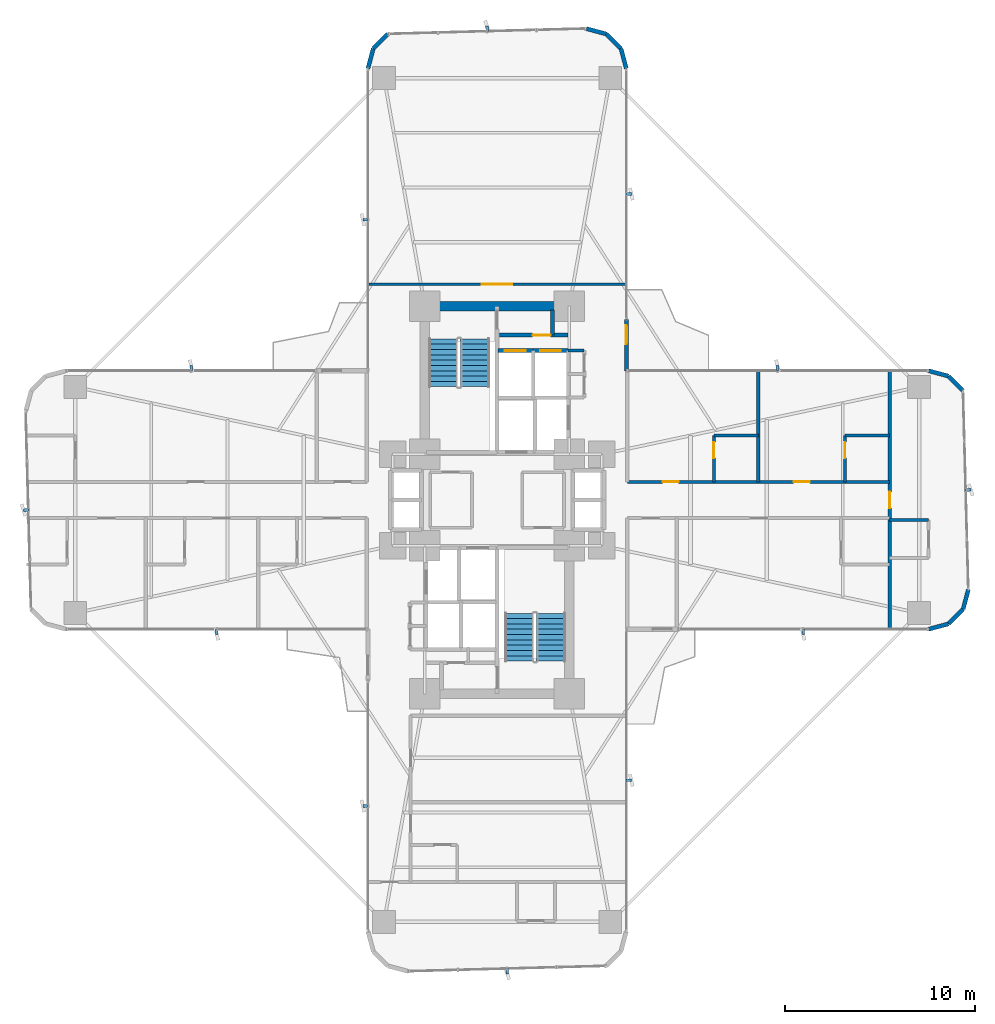
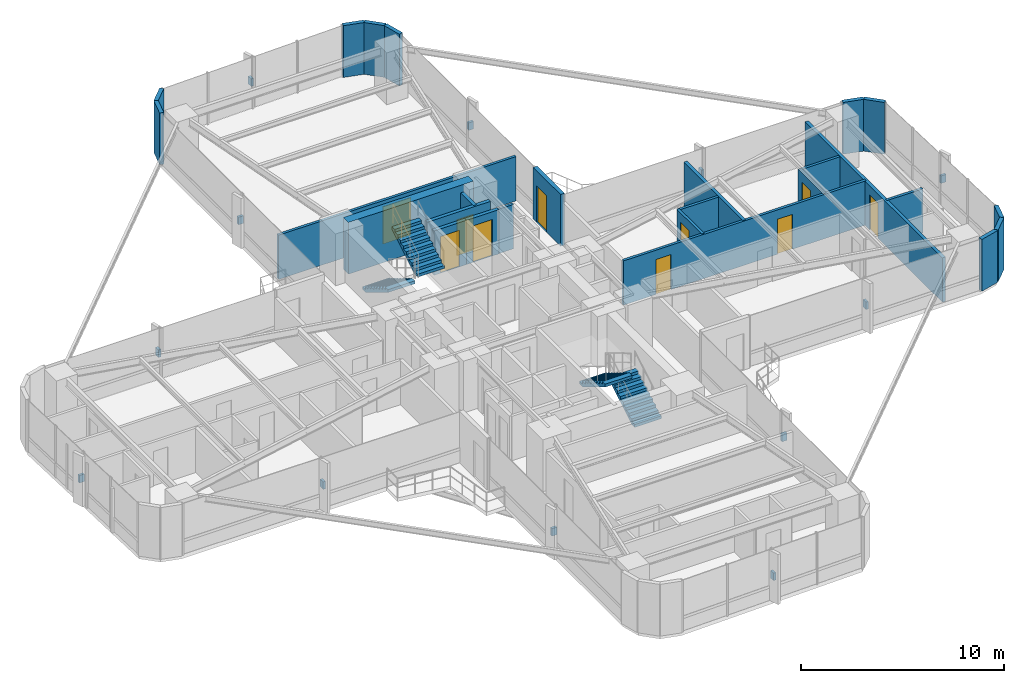
# One storey, part 24 of 25: 26 walls, 12 discrete accessories, 10 doors, 4 stair flights, 10 openings, 2 elements without a shape of their own.
"""IFC4 building model written with IfcOpenShell, lengths in metres."""

from ifc_helpers import new_model, si_unit, direction, frame, frame_2d, origin, origin_2d, place, context, subcontext, project, spatial, polyline, rectangle, outline, extrude, source, transform, mapped, material, layer, layer_set, type_object, element, fill, aggregate, save


model = new_model("IFC4")

# Units and contexts
model_context = context("Model", 3, precision=1e-05, world=origin(), true_north=direction((0.0, 1.0)))
body_context = subcontext(model_context, "Body", "Model", "MODEL_VIEW")
ifc_project = project(units=[si_unit("LENGTHUNIT", "METRE"), si_unit("AREAUNIT", "SQUARE_METRE"), si_unit("VOLUMEUNIT", "CUBIC_METRE"), si_unit("PLANEANGLEUNIT", "RADIAN"), si_unit("MASSUNIT", "GRAM", prefix="KILO")], contexts=[model_context])

# Site, building, storey
site_placement = place(None, origin())
site = spatial("IfcSite", under=ifc_project, at=site_placement, CompositionType="ELEMENT")
building_placement = place(site_placement, origin())
building = spatial("IfcBuilding", under=site, at=building_placement, Name="Sahyath Konkavel Grand Hotel", CompositionType="ELEMENT")
storey_placement = place(building_placement, frame((0.0, 0.0, 33.14990234375)))
storey = spatial("IfcBuildingStorey", under=building, at=storey_placement, Name="L08", CompositionType="ELEMENT", Elevation=33.14990234375)

# Walls
ifc_material_1 = material(Name="Concrete C70/85", Category="concrete")
ifc_layer_1 = layer(ifc_material_1, 0.5)
ifc_layer_set_1 = layer_set([ifc_layer_1], Name="Concrete C70/85")
wall_type_1 = type_object("IfcWallType", Name="CWALL-500", PredefinedType="SHEAR", material=ifc_layer_set_1)
wall_1_placement = place(storey_placement, frame((-3.550048828125, 10.199951171875, 0.0), z_axis=(0.0, 0.0, 1.0), x_axis=(1.0, 0.0, 0.0)))
element("IfcWall", 1, at=wall_1_placement, inside=storey, type_object=wall_type_1, Name="L08 North Core Shear Wall N", PredefinedType="SHEAR", context=body_context, shape_type="SweptSolid", body=[
    extrude(rectangle(XDim=7.10009765625, YDim=0.5, at=frame_2d((3.550048828125, 0.0))), origin(), (0.0, 0.0, 1.0), 3.110107421875),
])
ifc_material_2 = material(Name="Warm Buff Sandstone Insulated Concrete C40/50", Category="masonry")
ifc_layer_2 = layer(ifc_material_2, 0.219970703125)
ifc_layer_set_2 = layer_set([ifc_layer_2], Name="Warm Buff Sandstone Insulated Concrete C40/50")
wall_type_2 = type_object("IfcWallType", Name="WLL-BALC-THRESH", PredefinedType="STANDARD", material=ifc_layer_set_2)
for number, where, z_axis, x_axis, name in (
    (2, (22.699951171875, -6.800048828125, 0.0), (0.0, 0.0, 1.0), (0.965951058412, 0.25872485917, 0.0), "L08 Rounded Corner Sandstone Pier 1"),
    (3, (23.75, -6.518798828125, 0.0), (0.0, 0.0, 1.0), (0.707106781187, 0.707106781187, 0.0), "L08 Rounded Corner Sandstone Pier 2"),
    (4, (24.518798828125, -5.75, 0.0), (0.0, 0.0, 1.0), (0.25872485917, 0.965951058412, 0.0), "L08 Rounded Corner Sandstone Pier 3"),
    (5, (24.518798828125, 5.75, 0.0), (0.0, 0.0, 1.0), (-0.707106781187, 0.707106781187, 0.0), "L08 Rounded Corner Sandstone Pier 5"),
    (6, (23.75, 6.518798828125, 0.0), (0.0, 0.0, 1.0), (-0.965951058412, 0.25872485917, 0.0), "L08 Rounded Corner Sandstone Pier 6"),
):
    element("IfcWall", number, at=place(storey_placement, frame(where, z_axis=z_axis, x_axis=x_axis)), inside=storey, type_object=wall_type_2, Name=name, PredefinedType="STANDARD", context=body_context, shape_type="SweptSolid", body=[
        extrude(rectangle(XDim=1.087158203125, YDim=0.219970703125, at=frame_2d((0.54345703125, 0.0))), origin(), (0.0, 0.0, 1.0), 3.110107421875),
    ])

# Wall, opening, door
wall_2_placement = place(storey_placement, frame((6.800048828125, 6.800048828125, 0.0), z_axis=(0.0, 0.0, 1.0), x_axis=(0.0, 1.0, 0.0)))
wall_2 = element("IfcWall", 7, at=wall_2_placement, inside=storey, type_object=wall_type_2, Name="L08 Winter-Garden Threshold Wall 8", PredefinedType="STANDARD", context=body_context, shape_type="SweptSolid", body=[
    extrude(rectangle(XDim=2.699951171875, YDim=0.219970703125, at=frame_2d((1.35009765625, 0.0))), origin(), (0.0, 0.0, 1.0), 3.110107421875),
])
opening_1_placement = place(wall_2_placement, frame((1.39990234375, 0.0, 0.0)))
opening_1 = element("IfcOpeningElement", 8, at=opening_1_placement, cuts=wall_2, Name="Opening D-TR1", PredefinedType="OPENING", context=body_context, shape_type="SweptSolid", body=[
    extrude(rectangle(XDim=1.0, YDim=2.199951171875, at=frame_2d((0.5, 1.10009765625))), frame((0.0, 0.1201171875, 0.0), z_axis=(0.0, -1.0, 0.0), x_axis=(1.0, 0.0, 0.0)), (0.0, 0.0, 1.0), 0.239990234375),
])
ifc_material_3 = material(Name="Anodised Bronze Aluminium & Low-E Glazing", Category="aluminium")
door_type_1 = type_object("IfcDoorType", Name="DR-TERRACE-1000", OperationType="NOTDEFINED", PredefinedType="DOOR", material=ifc_material_3)
shared_shape_1 = source(origin(), body_context, "Body", "SweptSolid", [
    extrude(rectangle(XDim=1.0, YDim=0.050048828125, at=origin_2d()), origin(), (0.0, 0.0, 1.0), 2.199951171875),
])
door_1_placement = place(opening_1_placement, frame((0.5, 0.0, 0.0)))
door_1 = element("IfcDoor", 9, at=door_1_placement, inside=storey, type_object=door_type_1, Name="L08 Winter-Garden Terrace Door 8", OperationType="SINGLE_SWING_LEFT", OverallHeight=2.199951171875, OverallWidth=1.0, PredefinedType="DOOR", context=body_context, shape_type="MappedRepresentation", body=[
    mapped(shared_shape_1, transform((0.0, 0.0, 0.0), scale=1.0)),
])
fill(opening_1, door_1)

# Walls
for number, where, z_axis, x_axis, name in (
    (10, (6.800048828125, 22.699951171875, 0.0), (0.0, 0.0, 1.0), (-0.25872485917, 0.965951058412, 0.0), "L08 Rounded Corner Sandstone Pier 9"),
    (11, (6.518798828125, 23.75, 0.0), (0.0, 0.0, 1.0), (-0.707106781187, 0.707106781187, 0.0), "L08 Rounded Corner Sandstone Pier 10"),
    (12, (5.75, 24.518798828125, 0.0), (0.0, 0.0, 1.0), (-0.965951058412, 0.25872485917, 0.0), "L08 Rounded Corner Sandstone Pier 11"),
    (13, (-5.75, 24.518798828125, 0.0), (0.0, 0.0, 1.0), (-0.707106781187, -0.707106781187, 0.0), "L08 Rounded Corner Sandstone Pier 13"),
    (14, (-6.518798828125, 23.75, 0.0), (0.0, 0.0, 1.0), (-0.25872485917, -0.965951058412, 0.0), "L08 Rounded Corner Sandstone Pier 14"),
):
    element("IfcWall", number, at=place(storey_placement, frame(where, z_axis=z_axis, x_axis=x_axis)), inside=storey, type_object=wall_type_2, Name=name, PredefinedType="STANDARD", context=body_context, shape_type="SweptSolid", body=[
        extrude(rectangle(XDim=1.087158203125, YDim=0.219970703125, at=frame_2d((0.54345703125, 0.0))), origin(), (0.0, 0.0, 1.0), 3.110107421875),
    ])

# Wall, opening, door
ifc_material_4 = material(Name="Concrete C40/50", Category="concrete")
ifc_layer_3 = layer(ifc_material_4, 0.199951171875)
ifc_layer_set_3 = layer_set([ifc_layer_3], Name="Concrete C40/50")
wall_type_3 = type_object("IfcWallType", Name="WLL-CORE-200", PredefinedType="SOLIDWALL", material=ifc_layer_set_3)
wall_3_placement = place(storey_placement, frame((0.050048828125, 7.860107421875, 0.0), z_axis=(0.0, 0.0, 1.0), x_axis=(1.0, 0.0, 0.0)))
wall_3 = element("IfcWall", 15, at=wall_3_placement, inside=storey, type_object=wall_type_3, Name="L08 Partition SH-PL1-N", PredefinedType="SOLIDWALL", context=body_context, shape_type="SweptSolid", body=[
    extrude(rectangle(XDim=1.849853515625, YDim=0.199951171875, at=frame_2d((0.9248046875, 0.0))), origin(), (0.0, 0.0, 1.0), 2.66015625),
])
opening_2_placement = place(wall_3_placement, frame((0.360107421875, 0.0, 0.0)))
opening_2 = element("IfcOpeningElement", 16, at=opening_2_placement, cuts=wall_3, Name="Opening LD-11", PredefinedType="OPENING", context=body_context, shape_type="SweptSolid", body=[
    extrude(rectangle(XDim=1.10009765625, YDim=2.199951171875, at=frame_2d((0.550048828125, 1.10009765625))), frame((0.0, 0.10986328125, 0.0), z_axis=(0.0, -1.0, 0.0), x_axis=(1.0, 0.0, 0.0)), (0.0, 0.0, 1.0), 0.219970703125),
])
ifc_material_5 = material(Name="Bronze Lift Landing Door 1100")
door_type_2 = type_object("IfcDoorType", Name="DR-LIFT-1100", OperationType="DOUBLE_DOOR_SLIDING", PredefinedType="DOOR", material=ifc_material_5)
shared_shape_2 = source(origin(), body_context, "Body", "SweptSolid", [
    extrude(rectangle(XDim=1.10009765625, YDim=0.050048828125, at=origin_2d()), origin(), (0.0, 0.0, 1.0), 2.199951171875),
])
door_2_placement = place(opening_2_placement, frame((0.550048828125, 0.0, 0.0)))
door_2 = element("IfcDoor", 17, at=door_2_placement, inside=storey, type_object=door_type_2, Name="L08 Passenger Lift PL-1 Landing Door", OperationType="DOUBLE_DOOR_SLIDING", OverallHeight=2.199951171875, OverallWidth=1.10009765625, PredefinedType="DOOR", context=body_context, shape_type="MappedRepresentation", body=[
    mapped(shared_shape_2, transform((0.0, 0.0, 0.0), scale=1.0)),
])
fill(opening_2, door_2)

wall_4_placement = place(storey_placement, frame((1.89990234375, 7.860107421875, 0.0), z_axis=(0.0, 0.0, 1.0), x_axis=(1.0, 0.0, 0.0)))
wall_4 = element("IfcWall", 18, at=wall_4_placement, inside=storey, type_object=wall_type_3, Name="L08 Partition SH-PL2-N", PredefinedType="SOLIDWALL", context=body_context, shape_type="SweptSolid", body=[
    extrude(rectangle(XDim=1.840087890625, YDim=0.199951171875, at=frame_2d((0.919921875, 0.0))), origin(), (0.0, 0.0, 1.0), 2.66015625),
])
opening_3_placement = place(wall_4_placement, frame((0.360107421875, 0.0, 0.0)))
opening_3 = element("IfcOpeningElement", 19, at=opening_3_placement, cuts=wall_4, Name="Opening LD-11", PredefinedType="OPENING", context=body_context, shape_type="SweptSolid", body=[
    extrude(rectangle(XDim=1.10009765625, YDim=2.199951171875, at=frame_2d((0.550048828125, 1.10009765625))), frame((0.0, 0.10986328125, 0.0), z_axis=(0.0, -1.0, 0.0), x_axis=(1.0, 0.0, 0.0)), (0.0, 0.0, 1.0), 0.219970703125),
])
door_3_placement = place(opening_3_placement, frame((0.550048828125, 0.0, 0.0)))
door_3 = element("IfcDoor", 20, at=door_3_placement, inside=storey, type_object=door_type_2, Name="L08 Passenger Lift PL-2 Landing Door", OperationType="DOUBLE_DOOR_SLIDING", OverallHeight=2.199951171875, OverallWidth=1.10009765625, PredefinedType="DOOR", context=body_context, shape_type="MappedRepresentation", body=[
    mapped(shared_shape_2, transform((0.0, 0.0, 0.0), scale=1.0)),
])
fill(opening_3, door_3)

wall_5_placement = place(storey_placement, frame((0.1201171875, 8.679931640625, 0.0), z_axis=(0.0, 0.0, 1.0), x_axis=(1.0, 0.0, 0.0)))
wall_5 = element("IfcWall", 21, at=wall_5_placement, inside=storey, type_object=wall_type_3, Name="L08 North FF Lobby Separation Wall", PredefinedType="SOLIDWALL", context=body_context, shape_type="SweptSolid", body=[
    extrude(rectangle(XDim=3.619873046875, YDim=0.199951171875, at=frame_2d((1.81005859375, 0.0))), origin(), (0.0, 0.0, 1.0), 2.66015625),
])
opening_4_placement = place(wall_5_placement, frame((1.75, 0.0, 0.0)))
opening_4 = element("IfcOpeningElement", 22, at=opening_4_placement, cuts=wall_5, Name="Opening D-F12C", PredefinedType="OPENING", context=body_context, shape_type="SweptSolid", body=[
    extrude(rectangle(XDim=0.949951171875, YDim=2.14990234375, at=frame_2d((0.47509765625, 1.074951171875))), frame((0.0, 0.10986328125, 0.0), z_axis=(0.0, -1.0, 0.0), x_axis=(1.0, 0.0, 0.0)), (0.0, 0.0, 1.0), 0.219970703125),
])
ifc_material_6 = material(Name="Steel E350 Plant Fire Door", Category="steel")
door_type_3 = type_object("IfcDoorType", Name="DR-FD120-950", OperationType="NOTDEFINED", PredefinedType="DOOR", material=ifc_material_6)
shared_shape_3 = source(origin(), body_context, "Body", "SweptSolid", [
    extrude(rectangle(XDim=0.949951171875, YDim=0.050048828125, at=origin_2d()), origin(), (0.0, 0.0, 1.0), 2.14990234375),
])
door_4_placement = place(opening_4_placement, frame((0.47509765625, 0.0, 0.0)))
door_4 = element("IfcDoor", 23, at=door_4_placement, inside=storey, type_object=door_type_3, Name="L08 North Firefighting Lobby Door", OperationType="SINGLE_SWING_LEFT", OverallHeight=2.14990234375, OverallWidth=0.949951171875, PredefinedType="DOOR", context=body_context, shape_type="MappedRepresentation", body=[
    mapped(shared_shape_3, transform((0.0, 0.0, 0.0), scale=1.0)),
])
fill(opening_4, door_4)

# Walls
wall_6_placement = place(storey_placement, frame((2.919921875, 8.679931640625, 0.0), z_axis=(0.0, 0.0, 1.0), x_axis=(0.0, 1.0, 0.0)))
element("IfcWall", 24, at=wall_6_placement, inside=storey, type_object=wall_type_3, Name="L08 Partition NFF-E2", PredefinedType="SOLIDWALL", context=body_context, shape_type="SweptSolid", body=[
    extrude(rectangle(XDim=1.320068359375, YDim=0.199951171875, at=frame_2d((0.66015625, 0.0))), origin(), (0.0, 0.0, 1.0), 2.66015625),
])
ifc_material_7 = material(Name="Twin-Stud Acoustic Gypsum Plasterboard Partition")
ifc_layer_4 = layer(ifc_material_7, 0.179931640625)
ifc_layer_set_4 = layer_set([ifc_layer_4], Name="Twin-Stud Acoustic Gypsum Plasterboard Partition")
wall_type_4 = type_object("IfcWallType", Name="WLL-DEMISE-180", PredefinedType="PARTITIONING", material=ifc_layer_set_4)
wall_7_placement = place(storey_placement, frame((13.75, 0.949951171875, 0.0), z_axis=(0.0, 0.0, 1.0), x_axis=(0.0, 1.0, 0.0)))
element("IfcWall", 25, at=wall_7_placement, inside=storey, type_object=wall_type_4, Name="L08 Partition E-E4L1-DEM", PredefinedType="PARTITIONING", context=body_context, shape_type="SweptSolid", body=[
    extrude(rectangle(XDim=5.800048828125, YDim=0.179931640625, at=frame_2d((2.89990234375, 0.0))), origin(), (0.0, 0.0, 1.0), 2.66015625),
])

# Wall, opening, door
wall_8_placement = place(storey_placement, frame((20.64990234375, -6.75, 0.0), z_axis=(0.0, 0.0, 1.0), x_axis=(0.0, 1.0, 0.0)))
wall_8 = element("IfcWall", 26, at=wall_8_placement, inside=storey, type_object=wall_type_4, Name="L08 Partition E-ETIP-END", PredefinedType="PARTITIONING", context=body_context, shape_type="SweptSolid", body=[
    extrude(rectangle(XDim=13.5, YDim=0.179931640625, at=frame_2d((6.75, 0.0))), origin(), (0.0, 0.0, 1.0), 2.66015625),
])
opening_5_placement = place(wall_8_placement, frame((6.324951171875, 0.0, 0.0)))
opening_5 = element("IfcOpeningElement", 27, at=opening_5_placement, cuts=wall_8, Name="Opening D-F06D", PredefinedType="OPENING", context=body_context, shape_type="SweptSolid", body=[
    extrude(rectangle(XDim=0.85009765625, YDim=2.10009765625, at=frame_2d((0.425048828125, 1.050048828125))), frame((0.0, 0.10009765625, 0.0), z_axis=(0.0, -1.0, 0.0), x_axis=(1.0, 0.0, 0.0)), (0.0, 0.0, 1.0), 0.199951171875),
])
ifc_material_8 = material(Name="Fire-Rated Shaft Access Door")
door_type_4 = type_object("IfcDoorType", Name="DR-FD60-850", OperationType="NOTDEFINED", PredefinedType="DOOR", material=ifc_material_8)
shared_shape_4 = source(origin(), body_context, "Body", "SweptSolid", [
    extrude(rectangle(XDim=0.85009765625, YDim=0.050048828125, at=origin_2d()), origin(), (0.0, 0.0, 1.0), 2.10009765625),
])
door_5_placement = place(opening_5_placement, frame((0.425048828125, 0.0, 0.0)))
door_5 = element("IfcDoor", 28, at=door_5_placement, inside=storey, type_object=door_type_4, Name="L08 Door E-ETIP-ED", OperationType="SINGLE_SWING_LEFT", OverallHeight=2.10009765625, OverallWidth=0.85009765625, PredefinedType="DOOR", context=body_context, shape_type="MappedRepresentation", body=[
    mapped(shared_shape_4, transform((0.0, 0.0, 0.0), scale=1.0)),
])
fill(opening_5, door_5)

# Wall
ifc_material_9 = material(Name="Fire-Rated Gypsum Plasterboard Partition")
ifc_layer_5 = layer(ifc_material_9, 0.14990234375)
ifc_layer_set_5 = layer_set([ifc_layer_5], Name="Fire-Rated Gypsum Plasterboard Partition")
wall_type_5 = type_object("IfcWallType", Name="WLL-PART-150", PredefinedType="PARTITIONING", material=ifc_layer_set_5)
wall_9_placement = place(storey_placement, frame((3.739990234375, 7.860107421875, 0.0), z_axis=(0.0, 0.0, 1.0), x_axis=(1.0, 0.0, 0.0)))
element("IfcWall", 29, at=wall_9_placement, inside=storey, type_object=wall_type_5, Name="L08 Partition NC-FLK-N", PredefinedType="PARTITIONING", context=body_context, shape_type="SweptSolid", body=[
    extrude(rectangle(XDim=0.840087890625, YDim=0.14990234375, at=frame_2d((0.419921875, 0.0))), origin(), (0.0, 0.0, 1.0), 2.66015625),
])

# Wall, openings, doors
wall_10_placement = place(storey_placement, frame((6.85009765625, 0.949951171875, 0.0), z_axis=(0.0, 0.0, 1.0), x_axis=(1.0, 0.0, 0.0)))
wall_10 = element("IfcWall", 30, at=wall_10_placement, inside=storey, type_object=wall_type_5, Name="L08 Partition E-CL", PredefinedType="PARTITIONING", context=body_context, shape_type="SweptSolid", body=[
    extrude(rectangle(XDim=13.7998046875, YDim=0.14990234375, at=frame_2d((6.89990234375, 0.0))), origin(), (0.0, 0.0, 1.0), 2.66015625),
])
opening_6_placement = place(wall_10_placement, frame((1.85205078125, 0.0, 0.0)))
opening_6 = element("IfcOpeningElement", 31, at=opening_6_placement, cuts=wall_10, Name="Opening D-F06D", PredefinedType="OPENING", context=body_context, shape_type="SweptSolid", body=[
    extrude(rectangle(XDim=0.85009765625, YDim=2.10009765625, at=frame_2d((0.425048828125, 1.050048828125))), frame((0.0, 0.0849609375, 0.0), z_axis=(0.0, -1.0, 0.0), x_axis=(1.0, 0.0, 0.0)), (0.0, 0.0, 1.0), 0.169921875),
])
opening_7_placement = place(wall_10_placement, frame((8.751953125, 0.0, 0.0)))
opening_7 = element("IfcOpeningElement", 32, at=opening_7_placement, cuts=wall_10, Name="Opening D-F06D", PredefinedType="OPENING", context=body_context, shape_type="SweptSolid", body=[
    extrude(rectangle(XDim=0.85009765625, YDim=2.10009765625, at=frame_2d((0.425048828125, 1.050048828125))), frame((0.0, 0.0849609375, 0.0), z_axis=(0.0, -1.0, 0.0), x_axis=(1.0, 0.0, 0.0)), (0.0, 0.0, 1.0), 0.169921875),
])
door_6_placement = place(opening_6_placement, frame((0.425048828125, 0.0, 0.0)))
door_6 = element("IfcDoor", 33, at=door_6_placement, inside=storey, type_object=door_type_4, Name="L08 Door E-E4L1-ED", OperationType="SINGLE_SWING_RIGHT", OverallHeight=2.10009765625, OverallWidth=0.85009765625, PredefinedType="DOOR", context=body_context, shape_type="MappedRepresentation", body=[
    mapped(shared_shape_4, transform((0.0, 0.0, 0.0), scale=1.0)),
])
fill(opening_6, door_6)
door_7_placement = place(opening_7_placement, frame((0.425048828125, 0.0, 0.0)))
door_7 = element("IfcDoor", 34, at=door_7_placement, inside=storey, type_object=door_type_4, Name="L08 Door E-E4L2-ED", OperationType="SINGLE_SWING_RIGHT", OverallHeight=2.10009765625, OverallWidth=0.85009765625, PredefinedType="DOOR", context=body_context, shape_type="MappedRepresentation", body=[
    mapped(shared_shape_4, transform((0.0, 0.0, 0.0), scale=1.0)),
])
fill(opening_7, door_7)

# Wall, opening, door
wall_11_placement = place(storey_placement, frame((11.404052734375, 0.949951171875, 0.0), z_axis=(0.0, 0.0, 1.0), x_axis=(0.0, 1.0, 0.0)))
wall_11 = element("IfcWall", 35, at=wall_11_placement, inside=storey, type_object=wall_type_5, Name="L08 Partition E-E4L1-BS", PredefinedType="PARTITIONING", context=body_context, shape_type="SweptSolid", body=[
    extrude(rectangle(XDim=2.449951171875, YDim=0.14990234375, at=frame_2d((1.22509765625, 0.0))), origin(), (0.0, 0.0, 1.0), 2.66015625),
])
opening_8_placement = place(wall_11_placement, frame((1.25, 0.0, 0.0)))
opening_8 = element("IfcOpeningElement", 36, at=opening_8_placement, cuts=wall_11, Name="Opening D-BT85", PredefinedType="OPENING", context=body_context, shape_type="SweptSolid", body=[
    extrude(rectangle(XDim=0.85009765625, YDim=2.10009765625, at=frame_2d((0.425048828125, 1.050048828125))), frame((0.0, 0.0849609375, 0.0), z_axis=(0.0, -1.0, 0.0), x_axis=(1.0, 0.0, 0.0)), (0.0, 0.0, 1.0), 0.169921875),
])
ifc_material_10 = material(Name="Moisture-Resistant Teak Bathroom Door")
door_type_5 = type_object("IfcDoorType", Name="DR-BATH-850", OperationType="NOTDEFINED", PredefinedType="DOOR", material=ifc_material_10)
door_8_placement = place(opening_8_placement, frame((0.425048828125, 0.0, 0.0)))
door_8 = element("IfcDoor", 37, at=door_8_placement, inside=storey, type_object=door_type_5, Name="L08 Door E-E4L1-BD", OperationType="SINGLE_SWING_LEFT", OverallHeight=2.10009765625, OverallWidth=0.85009765625, PredefinedType="DOOR", context=body_context, shape_type="MappedRepresentation", body=[
    mapped(shared_shape_4, transform((0.0, 0.0, 0.0), scale=1.0)),
])
fill(opening_8, door_8)

# Wall
wall_12_placement = place(storey_placement, frame((11.404052734375, 3.39990234375, 0.0), z_axis=(0.0, 0.0, 1.0), x_axis=(1.0, 0.0, 0.0)))
element("IfcWall", 38, at=wall_12_placement, inside=storey, type_object=wall_type_5, Name="L08 Partition E-E4L1-BF", PredefinedType="PARTITIONING", context=body_context, shape_type="SweptSolid", body=[
    extrude(rectangle(XDim=2.345947265625, YDim=0.14990234375, at=frame_2d((1.1728515625, 0.0))), origin(), (0.0, 0.0, 1.0), 2.630126953125),
])

# Wall, opening, door
wall_13_placement = place(storey_placement, frame((18.303955078125, 0.949951171875, 0.0), z_axis=(0.0, 0.0, 1.0), x_axis=(0.0, 1.0, 0.0)))
wall_13 = element("IfcWall", 39, at=wall_13_placement, inside=storey, type_object=wall_type_5, Name="L08 Partition E-E4L2-BS", PredefinedType="PARTITIONING", context=body_context, shape_type="SweptSolid", body=[
    extrude(rectangle(XDim=2.449951171875, YDim=0.14990234375, at=frame_2d((1.22509765625, 0.0))), origin(), (0.0, 0.0, 1.0), 2.66015625),
])
opening_9_placement = place(wall_13_placement, frame((1.25, 0.0, 0.0)))
opening_9 = element("IfcOpeningElement", 40, at=opening_9_placement, cuts=wall_13, Name="Opening D-BT85", PredefinedType="OPENING", context=body_context, shape_type="SweptSolid", body=[
    extrude(rectangle(XDim=0.85009765625, YDim=2.10009765625, at=frame_2d((0.425048828125, 1.050048828125))), frame((0.0, 0.0849609375, 0.0), z_axis=(0.0, -1.0, 0.0), x_axis=(1.0, 0.0, 0.0)), (0.0, 0.0, 1.0), 0.169921875),
])
door_9_placement = place(opening_9_placement, frame((0.425048828125, 0.0, 0.0)))
door_9 = element("IfcDoor", 41, at=door_9_placement, inside=storey, type_object=door_type_5, Name="L08 Door E-E4L2-BD", OperationType="SINGLE_SWING_LEFT", OverallHeight=2.10009765625, OverallWidth=0.85009765625, PredefinedType="DOOR", context=body_context, shape_type="MappedRepresentation", body=[
    mapped(shared_shape_4, transform((0.0, 0.0, 0.0), scale=1.0)),
])
fill(opening_9, door_9)

# Walls
wall_14_placement = place(storey_placement, frame((18.303955078125, 3.39990234375, 0.0), z_axis=(0.0, 0.0, 1.0), x_axis=(1.0, 0.0, 0.0)))
element("IfcWall", 42, at=wall_14_placement, inside=storey, type_object=wall_type_5, Name="L08 Partition E-E4L2-BF", PredefinedType="PARTITIONING", context=body_context, shape_type="SweptSolid", body=[
    extrude(rectangle(XDim=2.345947265625, YDim=0.14990234375, at=frame_2d((1.1728515625, 0.0))), origin(), (0.0, 0.0, 1.0), 2.630126953125),
])
wall_15_placement = place(storey_placement, frame((20.64990234375, -1.050048828125, 0.0), z_axis=(0.0, 0.0, 1.0), x_axis=(1.0, 0.0, 0.0)))
element("IfcWall", 43, at=wall_15_placement, inside=storey, type_object=wall_type_5, Name="L08 Partition E-ETIP-BN", PredefinedType="PARTITIONING", context=body_context, shape_type="SweptSolid", body=[
    extrude(rectangle(XDim=2.050048828125, YDim=0.14990234375, at=frame_2d((1.02490234375, 0.0))), origin(), (0.0, 0.0, 1.0), 2.66015625),
])

# Wall, opening, door
wall_16_placement = place(storey_placement, frame((6.75, 11.35009765625, 0.0), z_axis=(0.0, 0.0, 1.0), x_axis=(-1.0, 0.0, 0.0)))
wall_16 = element("IfcWall", 44, at=wall_16_placement, inside=storey, type_object=wall_type_5, Name="L08 Partition N-SAL-IN", PredefinedType="PARTITIONING", context=body_context, shape_type="SweptSolid", body=[
    extrude(rectangle(XDim=13.5, YDim=0.14990234375, at=frame_2d((6.75, 0.0))), origin(), (0.0, 0.0, 1.0), 2.66015625),
])
opening_10_placement = place(wall_16_placement, frame((5.949951171875, 0.0, 0.0)))
opening_10 = element("IfcOpeningElement", 45, at=opening_10_placement, cuts=wall_16, Name="Opening D-DB16", PredefinedType="OPENING", context=body_context, shape_type="SweptSolid", body=[
    extrude(rectangle(XDim=1.60009765625, YDim=2.25, at=frame_2d((0.800048828125, 1.125))), frame((0.0, 0.0849609375, 0.0), z_axis=(0.0, -1.0, 0.0), x_axis=(1.0, 0.0, 0.0)), (0.0, 0.0, 1.0), 0.169921875),
])
ifc_material_11 = material(Name="Double Leaf Lounge Glazed Timber Door", Category="wood")
door_type_6 = type_object("IfcDoorType", Name="DR-DBL-1600", OperationType="DOUBLE_DOOR_SINGLE_SWING", PredefinedType="DOOR", material=ifc_material_11)
shared_shape_5 = source(origin(), body_context, "Body", "SweptSolid", [
    extrude(rectangle(XDim=1.60009765625, YDim=0.050048828125, at=origin_2d()), origin(), (0.0, 0.0, 1.0), 2.25),
])
door_10_placement = place(opening_10_placement, frame((0.800048828125, 0.0, 0.0)))
door_10 = element("IfcDoor", 46, at=door_10_placement, inside=storey, type_object=door_type_6, Name="L08 Door N-SAL-D", OperationType="DOUBLE_DOOR_SINGLE_SWING", OverallHeight=2.25, OverallWidth=1.60009765625, PredefinedType="DOOR", context=body_context, shape_type="MappedRepresentation", body=[
    mapped(shared_shape_5, transform((0.0, 0.0, 0.0), scale=1.0)),
])
fill(opening_10, door_10)

# Stair, stair flights
stair_type = type_object("IfcStairType", Name="STR-ST16-335", PredefinedType="HALF_TURN_STAIR", material=ifc_material_4)
stair_1_placement = place(storey_placement, origin())
stair_1 = element("IfcStair", 47, at=stair_1_placement, inside=storey, type_object=stair_type, Name="L08 North Core Smokeproof Exit Stair ST-1", PredefinedType="HALF_TURN_STAIR")
stair_flight_type = type_object("IfcStairFlightType", Name="STF-ST16-335", PredefinedType="STRAIGHT", material=ifc_material_4)
stair_flight_1_placement = place(storey_placement, frame((-2.840087890625, 8.47998046875, 0.0), z_axis=(0.0, 0.0, 1.0), x_axis=(0.0, -1.0, 0.0)))
stair_flight_1 = element("IfcStairFlight", 48, at=stair_flight_1_placement, type_object=stair_flight_type, Name="ST-1 flight 1", NumberOfRisers=10, NumberOfTreads=9, PredefinedType="STRAIGHT", RiserHeight=0.1675, TreadLength=0.28, context=body_context, shape_type="SweptSolid", body=[
    extrude(outline(polyline([(0.0, 0.0), (0.0, 0.16748046875), (0.280029296875, 0.16748046875), (0.280029296875, 0.3349609375), (0.56005859375, 0.3349609375), (0.56005859375, 0.50244140625), (0.840087890625, 0.50244140625), (0.840087890625, 0.669921875), (1.1201171875, 0.669921875), (1.1201171875, 0.83740234375), (1.39990234375, 0.83740234375), (1.39990234375, 1.0048828125), (1.679931640625, 1.0048828125), (1.679931640625, 1.172607421875), (1.9599609375, 1.172607421875), (1.9599609375, 1.340087890625), (2.239990234375, 1.340087890625), (2.239990234375, 1.507568359375), (2.52001953125, 1.507568359375), (2.52001953125, 1.675048828125), (2.52001953125, 1.332763671875), (0.2919921875, 0.0), (0.0, 0.0)])), frame((0.0, 0.760009765625, 0.0), z_axis=(0.0, -1.0, 0.0), x_axis=(1.0, 0.0, 0.0)), (0.0, 0.0, 1.0), 1.52001953125),
])
stair_flight_2_placement = place(storey_placement, frame((-1.159912109375, 5.9599609375, 1.675048828125), z_axis=(0.0, 0.0, 1.0), x_axis=(0.0, 1.0, 0.0)))
stair_flight_2 = element("IfcStairFlight", 49, at=stair_flight_2_placement, type_object=stair_flight_type, Name="ST-1 flight 2", NumberOfRisers=10, NumberOfTreads=9, PredefinedType="STRAIGHT", RiserHeight=0.1675, TreadLength=0.28, context=body_context, shape_type="SweptSolid", body=[
    extrude(outline(polyline([(0.0, 0.0), (0.0, 0.16748046875), (0.280029296875, 0.16748046875), (0.280029296875, 0.3349609375), (0.56005859375, 0.3349609375), (0.56005859375, 0.50244140625), (0.840087890625, 0.50244140625), (0.840087890625, 0.669921875), (1.1201171875, 0.669921875), (1.1201171875, 0.83740234375), (1.39990234375, 0.83740234375), (1.39990234375, 1.0048828125), (1.679931640625, 1.0048828125), (1.679931640625, 1.172607421875), (1.9599609375, 1.172607421875), (1.9599609375, 1.340087890625), (2.239990234375, 1.340087890625), (2.239990234375, 1.507568359375), (2.52001953125, 1.507568359375), (2.52001953125, 1.675048828125), (2.52001953125, 1.332763671875), (0.2919921875, 0.0), (0.0, 0.0)])), frame((0.0, 0.760009765625, 0.0), z_axis=(0.0, -1.0, 0.0), x_axis=(1.0, 0.0, 0.0)), (0.0, 0.0, 1.0), 1.52001953125),
])
aggregate(stair_1, [stair_flight_1, stair_flight_2])

stair_2_placement = place(storey_placement, origin())
stair_2 = element("IfcStair", 50, at=stair_2_placement, inside=storey, type_object=stair_type, Name="L08 South Core Smokeproof Exit Stair ST-2", PredefinedType="HALF_TURN_STAIR")
stair_flight_3_placement = place(storey_placement, frame((2.840087890625, -8.47998046875, 0.0), z_axis=(0.0, 0.0, 1.0), x_axis=(0.0, 1.0, 0.0)))
stair_flight_3 = element("IfcStairFlight", 51, at=stair_flight_3_placement, type_object=stair_flight_type, Name="ST-2 flight 1", NumberOfRisers=10, NumberOfTreads=9, PredefinedType="STRAIGHT", RiserHeight=0.1675, TreadLength=0.28, context=body_context, shape_type="SweptSolid", body=[
    extrude(outline(polyline([(0.0, 0.0), (0.0, 0.16748046875), (0.280029296875, 0.16748046875), (0.280029296875, 0.3349609375), (0.56005859375, 0.3349609375), (0.56005859375, 0.50244140625), (0.840087890625, 0.50244140625), (0.840087890625, 0.669921875), (1.1201171875, 0.669921875), (1.1201171875, 0.83740234375), (1.39990234375, 0.83740234375), (1.39990234375, 1.0048828125), (1.679931640625, 1.0048828125), (1.679931640625, 1.172607421875), (1.9599609375, 1.172607421875), (1.9599609375, 1.340087890625), (2.239990234375, 1.340087890625), (2.239990234375, 1.507568359375), (2.52001953125, 1.507568359375), (2.52001953125, 1.675048828125), (2.52001953125, 1.332763671875), (0.2919921875, 0.0), (0.0, 0.0)])), frame((0.0, 0.760009765625, 0.0), z_axis=(0.0, -1.0, 0.0), x_axis=(1.0, 0.0, 0.0)), (0.0, 0.0, 1.0), 1.52001953125),
])
stair_flight_4_placement = place(storey_placement, frame((1.159912109375, -5.9599609375, 1.675048828125), z_axis=(0.0, 0.0, 1.0), x_axis=(0.0, -1.0, 0.0)))
stair_flight_4 = element("IfcStairFlight", 52, at=stair_flight_4_placement, type_object=stair_flight_type, Name="ST-2 flight 2", NumberOfRisers=10, NumberOfTreads=9, PredefinedType="STRAIGHT", RiserHeight=0.1675, TreadLength=0.28, context=body_context, shape_type="SweptSolid", body=[
    extrude(outline(polyline([(0.0, 0.0), (0.0, 0.16748046875), (0.280029296875, 0.16748046875), (0.280029296875, 0.3349609375), (0.56005859375, 0.3349609375), (0.56005859375, 0.50244140625), (0.840087890625, 0.50244140625), (0.840087890625, 0.669921875), (1.1201171875, 0.669921875), (1.1201171875, 0.83740234375), (1.39990234375, 0.83740234375), (1.39990234375, 1.0048828125), (1.679931640625, 1.0048828125), (1.679931640625, 1.172607421875), (1.9599609375, 1.172607421875), (1.9599609375, 1.340087890625), (2.239990234375, 1.340087890625), (2.239990234375, 1.507568359375), (2.52001953125, 1.507568359375), (2.52001953125, 1.675048828125), (2.52001953125, 1.332763671875), (0.2919921875, 0.0), (0.0, 0.0)])), frame((0.0, 0.760009765625, 0.0), z_axis=(0.0, -1.0, 0.0), x_axis=(1.0, 0.0, 0.0)), (0.0, 0.0, 1.0), 1.52001953125),
])
aggregate(stair_2, [stair_flight_3, stair_flight_4])

# Discrete accessories
ifc_material_12 = material(Name="Steel E350", Category="steel")
discrete_accessory_type = type_object("IfcDiscreteAccessoryType", Name="ACC-FIN-BRACKET", PredefinedType="BRACKET", material=ifc_material_12)
shared_shape_6 = source(origin(), body_context, "Body", "SweptSolid", [
    extrude(rectangle(XDim=0.280029296875, YDim=0.139892578125, at=origin_2d()), origin(), (0.0, 0.0, 1.0), 0.449951171875),
])
for number, where, z_axis, x_axis, name in (
    (53, (16.10009765625, -6.929931640625, 1.330078125), (0.0, 0.0, 1.0), (0.0, -1.0, 0.0), "L08 Fin Support Bracket F0-1"),
    (54, (24.789306640625, 0.528564453125, 1.330078125), (0.0, 0.0, 1.0), (0.999637867691, 0.026909728301, 0.0), "L08 Fin Support Bracket F4-2"),
    (55, (14.75, 6.929931640625, 1.330078125), (0.0, 0.0, 1.0), (0.0, 1.0, 0.0), "L08 Fin Support Bracket F7-1"),
    (56, (6.929931640625, 16.10009765625, 1.330078125), (0.0, 0.0, 1.0), (1.0, 0.0, 0.0), "L08 Fin Support Bracket F8-1"),
    (57, (-0.528564453125, 24.789306640625, 1.330078125), (0.0, 0.0, 1.0), (-0.026909728301, 0.999637867691, 0.0), "L08 Fin Support Bracket F12-2"),
    (58, (-6.929931640625, 14.75, 1.330078125), (0.0, 0.0, 1.0), (-1.0, 0.0, 0.0), "L08 Fin Support Bracket F15-1"),
    (59, (-16.10009765625, 6.929931640625, 1.330078125), (0.0, 0.0, 1.0), (0.0, 1.0, 0.0), "L08 Fin Support Bracket F16-1"),
    (60, (-24.789306640625, -0.528564453125, 1.330078125), (0.0, 0.0, 1.0), (-0.999637867691, -0.026909728301, 0.0), "L08 Fin Support Bracket F20-2"),
    (61, (-14.75, -6.929931640625, 1.330078125), (0.0, 0.0, 1.0), (0.0, -1.0, 0.0), "L08 Fin Support Bracket F23-1"),
    (62, (-6.929931640625, -16.10009765625, 1.330078125), (0.0, 0.0, 1.0), (-1.0, 0.0, 0.0), "L08 Fin Support Bracket F24-1"),
    (63, (0.528564453125, -24.789306640625, 1.330078125), (0.0, 0.0, 1.0), (0.026909728301, -0.999637867691, 0.0), "L08 Fin Support Bracket F28-2"),
    (64, (6.929931640625, -14.75, 1.330078125), (0.0, 0.0, 1.0), (1.0, 0.0, 0.0), "L08 Fin Support Bracket F31-1"),
):
    element("IfcDiscreteAccessory", number, at=place(storey_placement, frame(where, z_axis=z_axis, x_axis=x_axis)), inside=storey, type_object=discrete_accessory_type, Name=name, PredefinedType="BRACKET", context=body_context, shape_type="MappedRepresentation", body=[
        mapped(shared_shape_6, transform((0.0, 0.0, 0.0), scale=1.0)),
    ])

save(model, "model.ifc")
